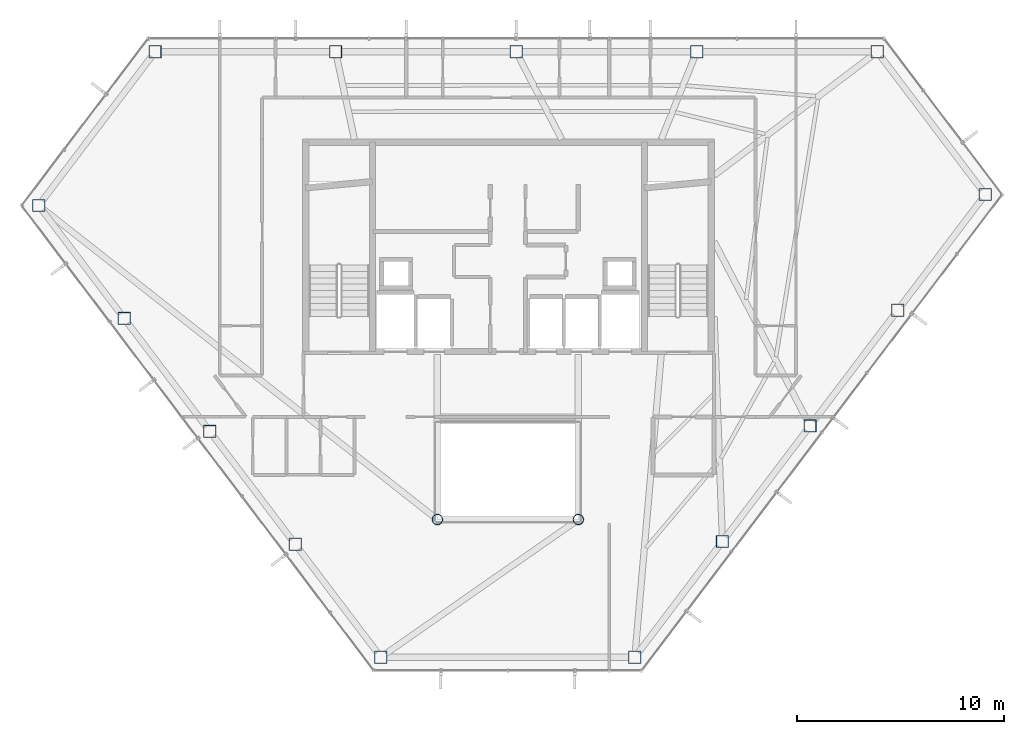
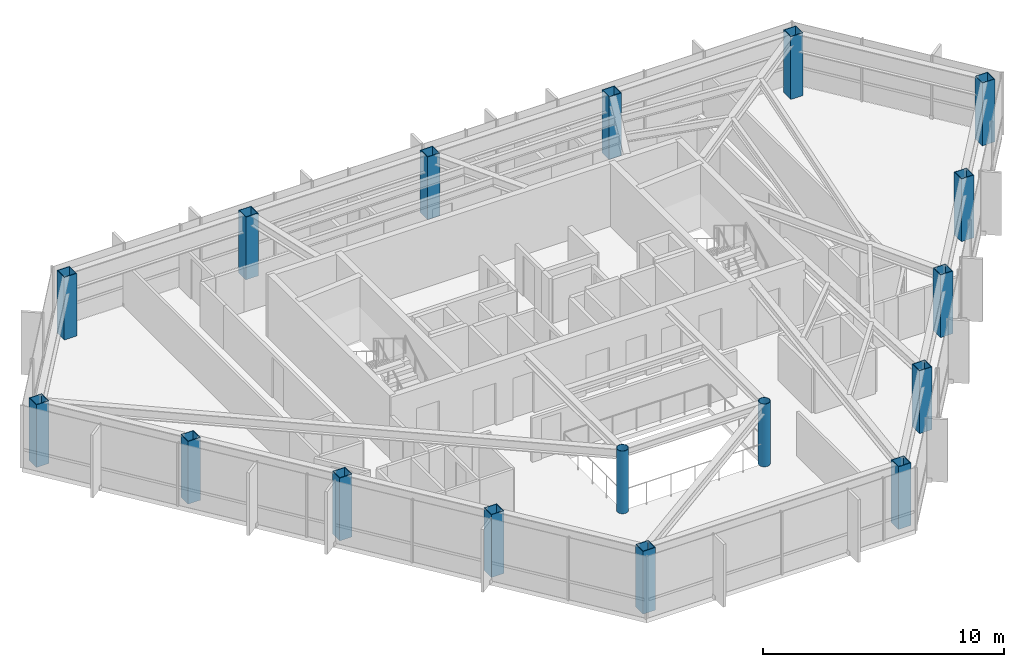
# One storey, part 1 of 25: 17 columns.
"""IFC4 building model written with IfcOpenShell, lengths in metres."""

import ifcopenshell
import ifcopenshell.guid

model = None  # the IFC model being written
_history = None  # IfcOwnerHistory: only IFC2X3 demands one
_inside = {}  # id of a spatial element -> (the spatial element, [elements in it])
_under = {}  # id of a project, library or spatial element -> (it, [spatial elements below it])
_declared = {}  # id of a project -> (the project, [libraries it declares])
_typed = {}  # id of a type object -> (the type object, [elements of that type])
_made_of = {}  # id of a material, layer set ... -> (it, [elements and type objects made of it])


def new_model(schema):
    """Start an empty IFC model of exactly this schema.

    Asked for "IFC4X3", IfcOpenShell would pick the latest addendum, in which some entities
    have other attributes; the version numbers below select the first issue.
    IFC2X3 requires an IfcOwnerHistory on every rooted entity: one is made here for all.
    """
    global model, _history
    if schema == "IFC4X3":
        model = ifcopenshell.file(schema_version=(4, 3, 0, 0))
    else:
        model = ifcopenshell.file(schema=schema)
    _inside.clear()
    _under.clear()
    _declared.clear()
    _typed.clear()
    _made_of.clear()
    _history = None
    if model.schema == "IFC2X3":
        org = make("IfcOrganization", Name="unknown")
        user = make(
            "IfcPersonAndOrganization",
            ThePerson=make("IfcPerson", FamilyName="unknown"),
            TheOrganization=org,
        )
        app = make(
            "IfcApplication",
            ApplicationDeveloper=org,
            Version="unknown",
            ApplicationFullName="unknown",
            ApplicationIdentifier="unknown",
        )
        _history = make(
            "IfcOwnerHistory",
            OwningUser=user,
            OwningApplication=app,
            ChangeAction="ADDED",
            CreationDate=0,
        )
    return model


def make(cls, **values):
    """One entity of the class cls with the attributes given. An attribute that is None is left unset."""
    return model.create_entity(
        cls, **{name: value for name, value in values.items() if value is not None}
    )


def rooted(cls, **values):
    """An entity with a GlobalId (a new one), such as an element, a storey or a relation."""
    return make(cls, GlobalId=ifcopenshell.guid.new(), OwnerHistory=_history, **values)


def si_unit(unit_type, name, prefix=None):
    """IfcSIUnit, for example si_unit("LENGTHUNIT", "METRE", prefix="MILLI")."""
    return make("IfcSIUnit", UnitType=unit_type, Prefix=prefix, Name=name)


def assignment(units):
    """IfcUnitAssignment: the units of a project."""
    return None if units is None else make("IfcUnitAssignment", Units=units)


def point(xyz):
    """IfcCartesianPoint."""
    return None if xyz is None else make("IfcCartesianPoint", Coordinates=xyz)


def direction(xyz):
    """IfcDirection."""
    return None if xyz is None else make("IfcDirection", DirectionRatios=xyz)


def frame(location, z_axis=None, x_axis=None):
    """IfcAxis2Placement3D, a coordinate frame: its origin and axes. An axis left out is left unset."""
    return make(
        "IfcAxis2Placement3D",
        Location=point(location),
        Axis=direction(z_axis),
        RefDirection=direction(x_axis),
    )


def frame_2d(location, x_axis=None):
    """IfcAxis2Placement2D, a coordinate frame in the plane: its origin and x axis."""
    return make(
        "IfcAxis2Placement2D", Location=point(location), RefDirection=direction(x_axis)
    )


def origin():
    """The frame at (0, 0, 0) with its axes left unset."""
    return frame((0.0, 0.0, 0.0))


def origin_2d():
    """The frame at (0, 0) in the plane with its x axis left unset."""
    return frame_2d((0.0, 0.0))


def place(relative_to, where):
    """IfcLocalPlacement: puts the frame where relative to a parent placement (None: the world)."""
    return make(
        "IfcLocalPlacement", PlacementRelTo=relative_to, RelativePlacement=where
    )


def context(
    kind, dimensions, precision=None, world=None, true_north=None, identifier=None
):
    """IfcGeometricRepresentationContext, for example the 3D "Model" context."""
    return make(
        "IfcGeometricRepresentationContext",
        ContextIdentifier=identifier,
        ContextType=kind,
        CoordinateSpaceDimension=dimensions,
        Precision=precision,
        WorldCoordinateSystem=world,
        TrueNorth=true_north,
    )


def subcontext(parent, identifier, kind, view, scale=None):
    """IfcGeometricRepresentationSubContext, for example "Body" below "Model"."""
    return make(
        "IfcGeometricRepresentationSubContext",
        ContextIdentifier=identifier,
        ContextType=kind,
        ParentContext=parent,
        TargetScale=scale,
        TargetView=view,
    )


def project(units=None, contexts=None):
    """IfcProject with its units and contexts."""
    return rooted(
        "IfcProject",
        Name="project",
        RepresentationContexts=contexts,
        UnitsInContext=assignment(units),
    )


def spatial(cls, under=None, at=None, **own):
    """A site, building, storey or space (cls), placed at a placement, below another one or the project."""
    s = rooted(cls, ObjectPlacement=at, **own)
    if under is not None:
        _under.setdefault(under.id(), (under, []))[1].append(s)
    return s


def profile(cls, at=None, kind="AREA", **sizes):
    """A parametric profile (cls). Its sizes go by their IFC names, for example OverallWidth=200.0."""
    return make(cls, ProfileType=kind, Position=at, **sizes)


def hollow_rectangle(**sizes):
    """IfcRectangleHollowProfileDef."""
    return profile("IfcRectangleHollowProfileDef", **sizes)


def hollow_circle(**sizes):
    """IfcCircleHollowProfileDef."""
    return profile("IfcCircleHollowProfileDef", **sizes)


def extrude(swept, where, along, depth):
    """IfcExtrudedAreaSolid: the profile swept, set in the frame where, extruded along a direction by depth."""
    return make(
        "IfcExtrudedAreaSolid",
        SweptArea=swept,
        Position=where,
        ExtrudedDirection=direction(along),
        Depth=depth,
    )


def shape(context_of_items, identifier, shape_type, items):
    """IfcShapeRepresentation: the items that make up one representation, for example the "Body"."""
    return make(
        "IfcShapeRepresentation",
        ContextOfItems=context_of_items,
        RepresentationIdentifier=identifier,
        RepresentationType=shape_type,
        Items=items,
    )


def material(Name=None, Category=None):
    """IfcMaterial."""
    return make("IfcMaterial", Name=Name, Category=Category)


def material_profile(
    of_material, cross_section, Name=None, Category=None, Priority=None
):
    """IfcMaterialProfile: a cross section and its material."""
    return make(
        "IfcMaterialProfile",
        Name=Name,
        Material=of_material,
        Profile=cross_section,
        Priority=Priority,
        Category=Category,
    )


def profile_set(profiles, Name=None, composite=None):
    """IfcMaterialProfileSet."""
    return make(
        "IfcMaterialProfileSet",
        Name=Name,
        MaterialProfiles=profiles,
        CompositeProfile=composite,
    )


def made_of(thing, what):
    """Note that an element or type object is made of a material, layer set ...; save() writes the relation."""
    if what is not None:
        _made_of.setdefault(what.id(), (what, []))[1].append(thing)
    return thing


def type_object(cls, material=None, **own):
    """A type object (cls), such as IfcWallType, which elements share."""
    return made_of(rooted(cls, **own), material)


def element(
    cls,
    number,
    at=None,
    inside=None,
    cuts=None,
    type_object=None,
    material=None,
    context=None,
    identifier="Body",
    shape_type=None,
    held_by="IfcProductDefinitionShape",
    body=None,
    shapes=None,
    **own,
):
    """One element of the class cls, such as IfcWall. Its Tag is "e" and its number.

    at: its placement. inside: the storey or other place that contains it. cuts: it is an
    opening in that element (IfcRelVoidsElement). A single representation is given by context,
    identifier, shape_type and body (its items); several are given by shapes. held_by: the class
    of the entity that holds the representations. save() writes the other relations.
    """
    e = rooted(cls, Tag="e%d" % number, ObjectPlacement=at, **own)
    if body is not None:
        shapes = [shape(context, identifier, shape_type, body)]
    if shapes is not None:
        e.Representation = make(held_by, Representations=shapes)
    if inside is not None:
        _inside.setdefault(inside.id(), (inside, []))[1].append(e)
    if cuts is not None:
        rooted(
            "IfcRelVoidsElement", RelatingBuildingElement=cuts, RelatedOpeningElement=e
        )
    if type_object is not None:
        _typed.setdefault(type_object.id(), (type_object, []))[1].append(e)
    return made_of(e, material)


def aggregate(whole, parts):
    """IfcRelAggregates: a whole, such as a stair, and the parts it consists of."""
    return rooted("IfcRelAggregates", RelatingObject=whole, RelatedObjects=parts)


def save(model, path):
    """Write the relations noted so far, then the file.

    IfcRelAggregates (storeys below a building ...), IfcRelContainedInSpatialStructure (elements
    in a storey), IfcRelDefinesByType, IfcRelAssociatesMaterial and IfcRelDeclares: one each for
    every whole, place, type object, material and project.
    """
    for whole, parts in _under.values():
        aggregate(whole, parts)
    for where, things in _inside.values():
        rooted(
            "IfcRelContainedInSpatialStructure",
            RelatedElements=things,
            RelatingStructure=where,
        )
    for kind, things in _typed.values():
        rooted("IfcRelDefinesByType", RelatedObjects=things, RelatingType=kind)
    for what, things in _made_of.values():
        rooted("IfcRelAssociatesMaterial", RelatedObjects=things, RelatingMaterial=what)
    for by, libraries in _declared.values():
        rooted("IfcRelDeclares", RelatingContext=by, RelatedDefinitions=libraries)
    model.write(path)


model = new_model("IFC4")

# Units and contexts
model_context = context("Model", 3, precision=1e-05, world=origin(), true_north=direction((0.0, 1.0)))
body_context = subcontext(model_context, "Body", "Model", "MODEL_VIEW")
ifc_project = project(units=[si_unit("LENGTHUNIT", "METRE"), si_unit("AREAUNIT", "SQUARE_METRE"), si_unit("VOLUMEUNIT", "CUBIC_METRE"), si_unit("PLANEANGLEUNIT", "RADIAN"), si_unit("MASSUNIT", "GRAM", prefix="KILO")], contexts=[model_context])

# Site, building, storey
site_placement = place(None, origin())
site = spatial("IfcSite", under=ifc_project, at=site_placement, CompositionType="ELEMENT")
building_placement = place(site_placement, origin())
building = spatial("IfcBuilding", under=site, at=building_placement, Name="Zarrinselat Tower", CompositionType="ELEMENT")
storey_placement = place(building_placement, frame((0.0, 0.0, 208.760009765625)))
storey = spatial("IfcBuildingStorey", under=building, at=storey_placement, Name="L51", CompositionType="ELEMENT", Elevation=208.760009765625)

# Columns
ifc_material_1 = material(Name="Steel S355J2", Category="steel")
ifc_material_profile_1 = material_profile(ifc_material_1, hollow_circle(Radius=0.25390625, WallThickness=0.02001953125, at=origin_2d()), Name="CHS 508x20")
ifc_profile_set_1 = profile_set([ifc_material_profile_1], Name="Steel S355J2")
column_type_1 = type_object("IfcColumnType", Name="COL-CHS508", PredefinedType="COLUMN", material=ifc_profile_set_1)
for number, where, z_axis, x_axis, name in (
    (1, (35.0, 25.199951171875, 0.0), (0.0, 0.0, 1.0), (1.0, 0.0, 0.0), "L51 Atrium Corner Column 1"),
    (2, (41.800048828125, 25.199951171875, 0.0), (0.0, 0.0, 1.0), (1.0, 0.0, 0.0), "L51 Atrium Corner Column 2"),
):
    element("IfcColumn", number, at=place(storey_placement, frame(where, z_axis=z_axis, x_axis=x_axis)), inside=storey, type_object=column_type_1, Name=name, PredefinedType="COLUMN", context=body_context, shape_type="SweptSolid", body=[
        extrude(hollow_circle(Radius=0.25390625, WallThickness=0.02001953125, at=origin_2d()), origin(), (0.0, 0.0, 1.0), 3.179931640625),
    ])
ifc_material_2 = material(Name="Steel S355J2", Category="steel")
ifc_material_profile_2 = material_profile(ifc_material_2, hollow_rectangle(XDim=0.60009765625, YDim=0.60009765625, WallThickness=0.030029296875, at=origin_2d()), Name="SHS 600x600x30")
ifc_profile_set_2 = profile_set([ifc_material_profile_2], Name="Steel S355J2")
column_type_2 = type_object("IfcColumnType", Name="COL-SHS600", PredefinedType="COLUMN", material=ifc_profile_set_2)
for number, where, z_axis, x_axis, name in (
    (3, (56.21826171875, 47.760986328125, 0.0), (0.0, 0.0, 1.0), (1.0, 0.0, 0.0), "L51 Framed-Tube Column T01"),
    (4, (47.510009765625, 47.760986328125, 0.0), (0.0, 0.0, 1.0), (1.0, 0.0, 0.0), "L51 Framed-Tube Column T02"),
    (5, (38.802001953125, 47.760986328125, 0.0), (0.0, 0.0, 1.0), (1.0, 0.0, 0.0), "L51 Framed-Tube Column T03"),
    (6, (30.09375, 47.760986328125, 0.0), (0.0, 0.0, 1.0), (1.0, 0.0, 0.0), "L51 Framed-Tube Column T04"),
    (7, (21.3857421875, 47.760986328125, 0.0), (0.0, 0.0, 1.0), (1.0, 0.0, 0.0), "L51 Framed-Tube Column T05"),
    (8, (15.76904296875, 40.346923828125, 0.0), (0.0, 0.0, 1.0), (1.0, 0.0, 0.0), "L51 Framed-Tube Column T06"),
    (9, (19.895263671875, 34.900390625, 0.0), (0.0, 0.0, 1.0), (1.0, 0.0, 0.0), "L51 Framed-Tube Column T07"),
    (10, (24.021484375, 29.45361328125, 0.0), (0.0, 0.0, 1.0), (1.0, 0.0, 0.0), "L51 Framed-Tube Column T08"),
    (11, (28.147705078125, 24.007080078125, 0.0), (0.0, 0.0, 1.0), (1.0, 0.0, 0.0), "L51 Framed-Tube Column T09"),
    (12, (32.27392578125, 18.560546875, 0.0), (0.0, 0.0, 1.0), (1.0, 0.0, 0.0), "L51 Framed-Tube Column T10"),
    (13, (44.52587890625, 18.560546875, 0.0), (0.0, 0.0, 1.0), (1.0, 0.0, 0.0), "L51 Framed-Tube Column T11"),
    (14, (48.752685546875, 24.139892578125, 0.0), (0.0, 0.0, 1.0), (1.0, 0.0, 0.0), "L51 Framed-Tube Column T12"),
    (15, (52.9794921875, 29.718994140625, 0.0), (0.0, 0.0, 1.0), (1.0, 0.0, 0.0), "L51 Framed-Tube Column T13"),
    (16, (57.206298828125, 35.29833984375, 0.0), (0.0, 0.0, 1.0), (1.0, 0.0, 0.0), "L51 Framed-Tube Column T14"),
    (17, (61.432861328125, 40.877685546875, 0.0), (0.0, 0.0, 1.0), (1.0, 0.0, 0.0), "L51 Framed-Tube Column T15"),
):
    element("IfcColumn", number, at=place(storey_placement, frame(where, z_axis=z_axis, x_axis=x_axis)), inside=storey, type_object=column_type_2, Name=name, PredefinedType="COLUMN", context=body_context, shape_type="SweptSolid", body=[
        extrude(hollow_rectangle(XDim=0.60009765625, YDim=0.60009765625, WallThickness=0.030029296875, at=origin_2d()), origin(), (0.0, 0.0, 1.0), 3.179931640625),
    ])

save(model, "model.ifc")
